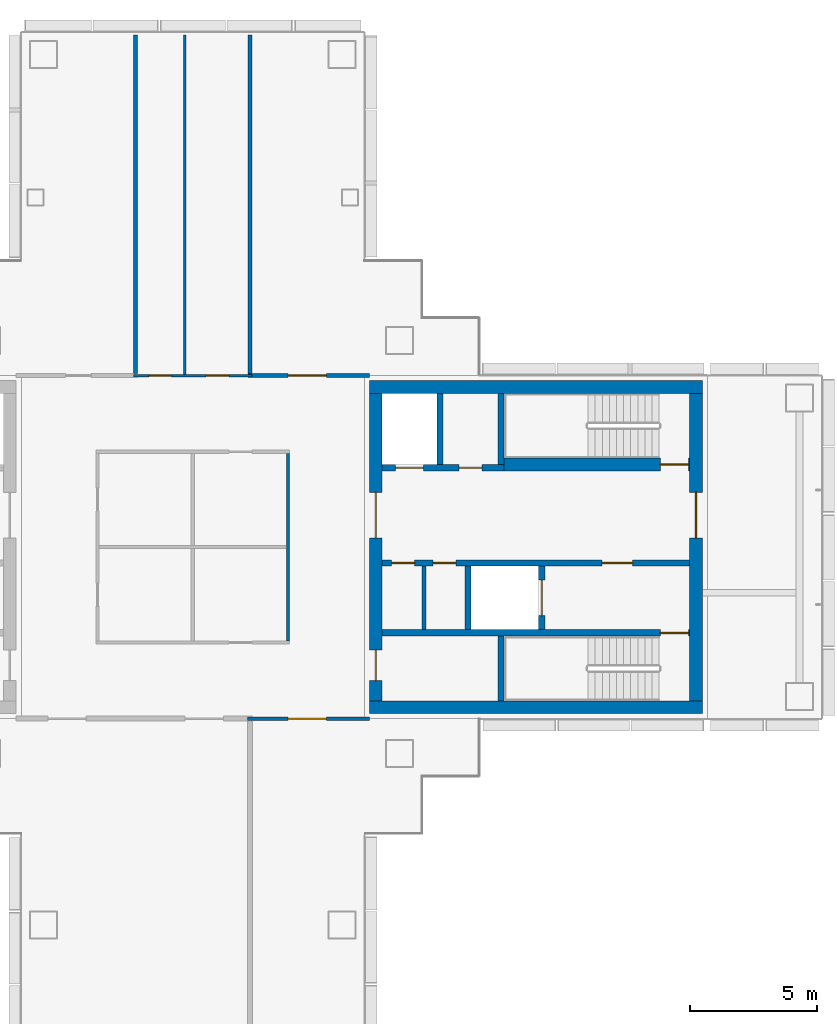
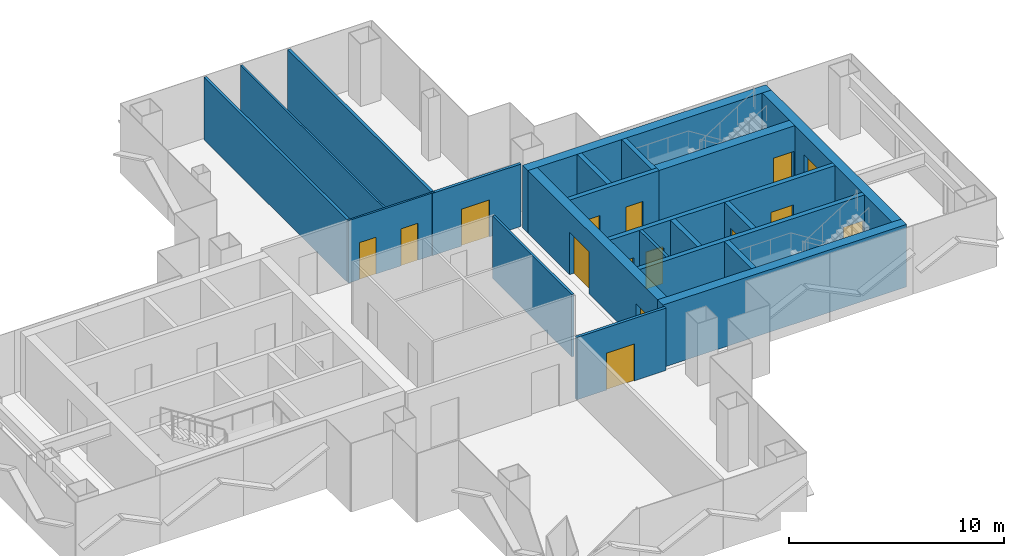
# One storey, part 12 of 16: 21 walls, 15 doors, 15 openings.
"""IFC4 building model written with IfcOpenShell, lengths in metres."""

from ifc_helpers import new_model, si_unit, direction, frame, frame_2d, origin, place, context, subcontext, project, spatial, rectangle, extrude, material, layer, layer_set, type_object, element, fill, save


model = new_model("IFC4")

# Units and contexts
model_context = context("Model", 3, precision=1e-05, world=origin(), true_north=direction((0.0, 1.0)))
body_context = subcontext(model_context, "Body", "Model", "MODEL_VIEW")
ifc_project = project(units=[si_unit("LENGTHUNIT", "METRE"), si_unit("AREAUNIT", "SQUARE_METRE"), si_unit("VOLUMEUNIT", "CUBIC_METRE"), si_unit("PLANEANGLEUNIT", "RADIAN"), si_unit("MASSUNIT", "GRAM", prefix="KILO")], contexts=[model_context])

# Site, building, storey
site_placement = place(None, origin())
site = spatial("IfcSite", under=ifc_project, at=site_placement, CompositionType="ELEMENT")
building_placement = place(site_placement, origin())
building = spatial("IfcBuilding", under=site, at=building_placement, Name="Shamsa Quay Exchange Towers", CompositionType="ELEMENT")
storey_placement = place(building_placement, frame((0.0, 0.0, 146.699951171875)))
storey = spatial("IfcBuildingStorey", under=building, at=storey_placement, Name="L34", CompositionType="ELEMENT", Elevation=146.699951171875)

# Walls
ifc_material_1 = material(Name="Concrete C60/75", Category="concrete")
ifc_layer_1 = layer(ifc_material_1, 0.5)
ifc_layer_set_1 = layer_set([ifc_layer_1], Name="CORE WALL 500 C60/75")
wall_type_1 = type_object("IfcWallType", Name="CORE WALL 500 C60/75", PredefinedType="SHEAR", material=ifc_layer_set_1)
for number, where, z_axis, x_axis, name in (
    (1, (53.800048828125, -6.300048828125, 0.0), (0.0, 0.0, 1.0), (-1.0, 0.0, 0.0), "Core wall T2B-R16-PS"),
    (2, (53.800048828125, 6.300048828125, 0.0), (0.0, 0.0, 1.0), (-1.0, 0.0, 0.0), "Core wall T2B-R16-PN"),
):
    element("IfcWall", number, at=place(storey_placement, frame(where, z_axis=z_axis, x_axis=x_axis)), inside=storey, type_object=wall_type_1, Name=name, PredefinedType="SHEAR", context=body_context, shape_type="SweptSolid", body=[
        extrude(rectangle(XDim=13.10009765625, YDim=0.5, at=frame_2d((6.550048828125, 0.0))), origin(), (0.0, 0.0, 1.0), 3.550048828125),
    ])

# Wall, opening, door
wall_1_placement = place(storey_placement, frame((53.550048828125, -6.050048828125, 0.0), z_axis=(0.0, 0.0, 1.0), x_axis=(0.0, 1.0, 0.0)))
wall_1 = element("IfcWall", 3, at=wall_1_placement, inside=storey, type_object=wall_type_1, Name="Core wall T2B-R16-PF", PredefinedType="SHEAR", context=body_context, shape_type="SweptSolid", body=[
    extrude(rectangle(XDim=12.10009765625, YDim=0.5, at=frame_2d((6.050048828125, 0.0))), origin(), (0.0, 0.0, 1.0), 3.550048828125),
])
opening_1_placement = place(wall_1_placement, frame((6.39990234375, 0.0, 0.0)))
opening_1 = element("IfcOpeningElement", 4, at=opening_1_placement, cuts=wall_1, Name="Opening T2B-R16-LBD01", PredefinedType="OPENING", context=body_context, shape_type="SweptSolid", body=[
    extrude(rectangle(XDim=1.800048828125, YDim=2.39990234375, at=frame_2d((0.89990234375, 1.199951171875))), frame((0.0, 0.260009765625, 0.0), z_axis=(0.0, -1.0, 0.0), x_axis=(1.0, 0.0, 0.0)), (0.0, 0.0, 1.0), 0.52001953125),
])
ifc_material_2 = material(Name="Steel, fire rated", Category="steel")
door_type_1 = type_object("IfcDoorType", Name="LIFT LOBBY DOOR PAIR 1800", OperationType="DOUBLE_DOOR_SINGLE_SWING", PredefinedType="DOOR", material=ifc_material_2)
door_1_placement = place(opening_1_placement, origin())
door_1 = element("IfcDoor", 5, at=door_1_placement, inside=storey, type_object=door_type_1, Name="T2B-R16-LBD01", OperationType="DOUBLE_DOOR_SINGLE_SWING", OverallHeight=2.39990234375, OverallWidth=1.800048828125, PredefinedType="DOOR", context=body_context, shape_type="SweptSolid", body=[
    extrude(rectangle(XDim=1.800048828125, YDim=2.39990234375, at=frame_2d((0.89990234375, 1.199951171875))), frame((0.0, 0.02490234375, 0.0), z_axis=(0.0, -1.0, 0.0), x_axis=(1.0, 0.0, 0.0)), (0.0, 0.0, 1.0), 0.050048828125),
])
fill(opening_1, door_1)

# Wall, openings, doors
wall_2_placement = place(storey_placement, frame((40.949951171875, -6.050048828125, 0.0), z_axis=(0.0, 0.0, 1.0), x_axis=(0.0, 1.0, 0.0)))
wall_2 = element("IfcWall", 6, at=wall_2_placement, inside=storey, type_object=wall_type_1, Name="Core wall T2B-R16-PB", PredefinedType="SHEAR", context=body_context, shape_type="SweptSolid", body=[
    extrude(rectangle(XDim=12.10009765625, YDim=0.5, at=frame_2d((6.050048828125, 0.0))), origin(), (0.0, 0.0, 1.0), 3.550048828125),
])
opening_2_placement = place(wall_2_placement, frame((0.800048828125, 0.0, 0.0)))
opening_2 = element("IfcOpeningElement", 7, at=opening_2_placement, cuts=wall_2, Name="Opening T2B-R16-RD02", PredefinedType="OPENING", context=body_context, shape_type="SweptSolid", body=[
    extrude(rectangle(XDim=1.199951171875, YDim=2.10009765625, at=frame_2d((0.60009765625, 1.050048828125))), frame((0.0, 0.260009765625, 0.0), z_axis=(0.0, -1.0, 0.0), x_axis=(1.0, 0.0, 0.0)), (0.0, 0.0, 1.0), 0.52001953125),
])
opening_3_placement = place(wall_2_placement, frame((6.39990234375, 0.0, 0.0)))
opening_3 = element("IfcOpeningElement", 8, at=opening_3_placement, cuts=wall_2, Name="Opening T2B-R16-LBD03", PredefinedType="OPENING", context=body_context, shape_type="SweptSolid", body=[
    extrude(rectangle(XDim=1.800048828125, YDim=2.39990234375, at=frame_2d((0.89990234375, 1.199951171875))), frame((0.0, 0.260009765625, 0.0), z_axis=(0.0, -1.0, 0.0), x_axis=(1.0, 0.0, 0.0)), (0.0, 0.0, 1.0), 0.52001953125),
])
door_2_placement = place(opening_3_placement, origin())
door_2 = element("IfcDoor", 9, at=door_2_placement, inside=storey, type_object=door_type_1, Name="T2B-R16-LBD03", OperationType="DOUBLE_DOOR_SINGLE_SWING", OverallHeight=2.39990234375, OverallWidth=1.800048828125, PredefinedType="DOOR", context=body_context, shape_type="SweptSolid", body=[
    extrude(rectangle(XDim=1.800048828125, YDim=2.39990234375, at=frame_2d((0.89990234375, 1.199951171875))), frame((0.0, 0.02490234375, 0.0), z_axis=(0.0, -1.0, 0.0), x_axis=(1.0, 0.0, 0.0)), (0.0, 0.0, 1.0), 0.050048828125),
])
fill(opening_3, door_2)
door_type_2 = type_object("IfcDoorType", Name="RISER ACCESS DOOR 1200", OperationType="SINGLE_SWING_LEFT", PredefinedType="DOOR", material=ifc_material_2)
door_3_placement = place(opening_2_placement, origin())
door_3 = element("IfcDoor", 10, at=door_3_placement, inside=storey, type_object=door_type_2, Name="T2B-R16-RD02", OperationType="SINGLE_SWING_LEFT", OverallHeight=2.10009765625, OverallWidth=1.199951171875, PredefinedType="DOOR", context=body_context, shape_type="SweptSolid", body=[
    extrude(rectangle(XDim=1.199951171875, YDim=2.10009765625, at=frame_2d((0.60009765625, 1.050048828125))), frame((0.0, 0.02490234375, 0.0), z_axis=(0.0, -1.0, 0.0), x_axis=(1.0, 0.0, 0.0)), (0.0, 0.0, 1.0), 0.050048828125),
])
fill(opening_2, door_3)

# Walls
ifc_material_3 = material(Name="Gypsum board on steel studs, EI 60", Category="steel")
ifc_layer_2 = layer(ifc_material_3, 0.14990234375)
ifc_layer_set_2 = layer_set([ifc_layer_2], Name="FIRE PARTITION 150")
wall_type_2 = type_object("IfcWallType", Name="FIRE PARTITION 150", PredefinedType="PARTITIONING", material=ifc_layer_set_2)
wall_3_placement = place(storey_placement, frame((42.85009765625, -3.25, 0.0), z_axis=(0.0, 0.0, 1.0), x_axis=(0.0, 1.0, 0.0)))
element("IfcWall", 11, at=wall_3_placement, inside=storey, type_object=wall_type_2, Name="Partition T2B-R16-EC0", PredefinedType="PARTITIONING", context=body_context, shape_type="SweptSolid", body=[
    extrude(rectangle(XDim=2.5, YDim=0.14990234375, at=frame_2d((1.25, 0.0))), origin(), (0.0, 0.0, 1.0), 3.550048828125),
])
ifc_material_4 = material(Name="Laminated fire-resisting glass in a metal frame", Category="glass")
ifc_layer_3 = layer(ifc_material_4, 0.125)
ifc_layer_set_3 = layer_set([ifc_layer_3], Name="Glazed partition 125 mm EI 60")
wall_type_3 = type_object("IfcWallType", Name="Glazed partition 125 mm EI 60", PredefinedType="PARTITIONING", material=ifc_layer_set_3)
wall_4_placement = place(storey_placement, frame((37.5, -3.6875, 0.0), z_axis=(0.0, 0.0, 1.0), x_axis=(0.0, 1.0, 0.0)))
element("IfcWall", 12, at=wall_4_placement, inside=storey, type_object=wall_type_3, Name="Partition T2-R16-W04", PredefinedType="PARTITIONING", context=body_context, shape_type="SweptSolid", body=[
    extrude(rectangle(XDim=7.375, YDim=0.125, at=frame_2d((3.6875, 0.0))), origin(), (0.0, 0.0, 1.0), 3.550048828125),
])

# Wall, openings, doors
ifc_material_5 = material(Name="Gypsum board partition on metal studs")
ifc_layer_4 = layer(ifc_material_5, 0.10009765625)
ifc_layer_set_4 = layer_set([ifc_layer_4], Name="Partition 100 mm NOT RATED")
wall_type_4 = type_object("IfcWallType", Name="Partition 100 mm NOT RATED", PredefinedType="PARTITIONING", material=ifc_layer_set_4)
wall_5_placement = place(storey_placement, frame((31.425048828125, 6.75, 0.0)))
wall_5 = element("IfcWall", 13, at=wall_5_placement, inside=storey, type_object=wall_type_4, Name="Partition T2-R16-W07", PredefinedType="PARTITIONING", context=body_context, shape_type="SweptSolid", body=[
    extrude(rectangle(XDim=4.64990234375, YDim=0.10009765625, at=frame_2d((2.324951171875, 0.0))), origin(), (0.0, 0.0, 1.0), 3.550048828125),
])
opening_4_placement = place(wall_5_placement, frame((2.84375, 0.0, 0.0)))
opening_4 = element("IfcOpeningElement", 14, at=opening_4_placement, cuts=wall_5, Name="Opening T2-R16-D06", PredefinedType="OPENING", context=body_context, shape_type="SweptSolid", body=[
    extrude(rectangle(XDim=0.89990234375, YDim=2.10009765625, at=frame_2d((0.449951171875, 1.050048828125))), frame((0.0, 0.06005859375, 0.0), z_axis=(0.0, -1.0, 0.0), x_axis=(1.0, 0.0, 0.0)), (0.0, 0.0, 1.0), 0.1201171875),
])
opening_5_placement = place(wall_5_placement, frame((0.59375, 0.0, 0.0)))
opening_5 = element("IfcOpeningElement", 15, at=opening_5_placement, cuts=wall_5, Name="Opening T2-R16-D07", PredefinedType="OPENING", context=body_context, shape_type="SweptSolid", body=[
    extrude(rectangle(XDim=0.89990234375, YDim=2.10009765625, at=frame_2d((0.449951171875, 1.050048828125))), frame((0.0, 0.06005859375, 0.0), z_axis=(0.0, -1.0, 0.0), x_axis=(1.0, 0.0, 0.0)), (0.0, 0.0, 1.0), 0.1201171875),
])
ifc_material_6 = material(Name="Timber door leaf in a metal frame", Category="wood")
door_type_3 = type_object("IfcDoorType", Name="Door 900x2100 NOT RATED", OperationType="NOTDEFINED", PredefinedType="DOOR", material=ifc_material_6)
door_4_placement = place(opening_4_placement, origin())
door_4 = element("IfcDoor", 16, at=door_4_placement, inside=storey, type_object=door_type_3, Name="Door T2-R16-D06", OperationType="SINGLE_SWING_RIGHT", OverallHeight=2.10009765625, OverallWidth=0.89990234375, PredefinedType="DOOR", context=body_context, shape_type="SweptSolid", body=[
    extrude(rectangle(XDim=0.89990234375, YDim=2.10009765625, at=frame_2d((0.449951171875, 1.050048828125))), frame((0.0, 0.02490234375, 0.0), z_axis=(0.0, -1.0, 0.0), x_axis=(1.0, 0.0, 0.0)), (0.0, 0.0, 1.0), 0.050048828125),
])
fill(opening_4, door_4)
door_5_placement = place(opening_5_placement, origin())
door_5 = element("IfcDoor", 17, at=door_5_placement, inside=storey, type_object=door_type_3, Name="Door T2-R16-D07", OperationType="SINGLE_SWING_RIGHT", OverallHeight=2.10009765625, OverallWidth=0.89990234375, PredefinedType="DOOR", context=body_context, shape_type="SweptSolid", body=[
    extrude(rectangle(XDim=0.89990234375, YDim=2.10009765625, at=frame_2d((0.449951171875, 1.050048828125))), frame((0.0, 0.02490234375, 0.0), z_axis=(0.0, -1.0, 0.0), x_axis=(1.0, 0.0, 0.0)), (0.0, 0.0, 1.0), 0.050048828125),
])
fill(opening_5, door_5)

# Wall
wall_6_placement = place(storey_placement, frame((33.4375, 20.155029296875, 0.0), z_axis=(0.0, 0.0, 1.0), x_axis=(0.0, -1.0, 0.0)))
element("IfcWall", 18, at=wall_6_placement, inside=storey, type_object=wall_type_4, Name="Partition T2-R16-W13", PredefinedType="PARTITIONING", context=body_context, shape_type="SweptSolid", body=[
    extrude(rectangle(XDim=13.35498046875, YDim=0.10009765625, at=frame_2d((6.677490234375, 0.0))), origin(), (0.0, 0.0, 1.0), 3.550048828125),
])

# Wall, opening, door
ifc_layer_5 = layer(ifc_material_5, 0.14990234375)
ifc_layer_set_5 = layer_set([ifc_layer_5], Name="Partition 150 mm EI 60")
wall_type_5 = type_object("IfcWallType", Name="Partition 150 mm EI 60", PredefinedType="PARTITIONING", material=ifc_layer_set_5)
wall_7_placement = place(storey_placement, frame((35.925048828125, 6.75, 0.0)))
wall_7 = element("IfcWall", 19, at=wall_7_placement, inside=storey, type_object=wall_type_5, Name="Partition T2-R16-W05", PredefinedType="PARTITIONING", context=body_context, shape_type="SweptSolid", body=[
    extrude(rectangle(XDim=4.77490234375, YDim=0.14990234375, at=frame_2d((2.387451171875, 0.0))), origin(), (0.0, 0.0, 1.0), 3.550048828125),
])
opening_6_placement = place(wall_7_placement, frame((1.574951171875, 0.0, 0.0)))
opening_6 = element("IfcOpeningElement", 20, at=opening_6_placement, cuts=wall_7, Name="Opening T2-R16-D01", PredefinedType="OPENING", context=body_context, shape_type="SweptSolid", body=[
    extrude(rectangle(XDim=1.5, YDim=2.10009765625, at=frame_2d((0.75, 1.050048828125))), frame((0.0, 0.0849609375, 0.0), z_axis=(0.0, -1.0, 0.0), x_axis=(1.0, 0.0, 0.0)), (0.0, 0.0, 1.0), 0.169921875),
])
door_type_4 = type_object("IfcDoorType", Name="Door 1500x2100 FD30S pair", OperationType="NOTDEFINED", PredefinedType="DOOR", material=ifc_material_6)
door_6_placement = place(opening_6_placement, origin())
door_6 = element("IfcDoor", 21, at=door_6_placement, inside=storey, type_object=door_type_4, Name="Door T2-R16-D01", OperationType="DOUBLE_DOOR_SINGLE_SWING", OverallHeight=2.10009765625, OverallWidth=1.5, PredefinedType="DOOR", context=body_context, shape_type="SweptSolid", body=[
    extrude(rectangle(XDim=1.5, YDim=2.10009765625, at=frame_2d((0.75, 1.050048828125))), frame((0.0, 0.02490234375, 0.0), z_axis=(0.0, -1.0, 0.0), x_axis=(1.0, 0.0, 0.0)), (0.0, 0.0, 1.0), 0.050048828125),
])
fill(opening_6, door_6)

wall_8_placement = place(storey_placement, frame((40.699951171875, -6.75, 0.0), z_axis=(0.0, 0.0, 1.0), x_axis=(-1.0, 0.0, 0.0)))
wall_8 = element("IfcWall", 22, at=wall_8_placement, inside=storey, type_object=wall_type_5, Name="Partition T2-R16-W08", PredefinedType="PARTITIONING", context=body_context, shape_type="SweptSolid", body=[
    extrude(rectangle(XDim=4.800048828125, YDim=0.14990234375, at=frame_2d((2.39990234375, 0.0))), origin(), (0.0, 0.0, 1.0), 3.550048828125),
])
opening_7_placement = place(wall_8_placement, frame((1.699951171875, 0.0, 0.0)))
opening_7 = element("IfcOpeningElement", 23, at=opening_7_placement, cuts=wall_8, Name="Opening T2-R16-D04", PredefinedType="OPENING", context=body_context, shape_type="SweptSolid", body=[
    extrude(rectangle(XDim=1.5, YDim=2.10009765625, at=frame_2d((0.75, 1.050048828125))), frame((0.0, 0.0849609375, 0.0), z_axis=(0.0, -1.0, 0.0), x_axis=(1.0, 0.0, 0.0)), (0.0, 0.0, 1.0), 0.169921875),
])
door_7_placement = place(opening_7_placement, origin())
door_7 = element("IfcDoor", 24, at=door_7_placement, inside=storey, type_object=door_type_4, Name="Door T2-R16-D04", OperationType="DOUBLE_DOOR_SINGLE_SWING", OverallHeight=2.10009765625, OverallWidth=1.5, PredefinedType="DOOR", context=body_context, shape_type="SweptSolid", body=[
    extrude(rectangle(XDim=1.5, YDim=2.10009765625, at=frame_2d((0.75, 1.050048828125))), frame((0.0, 0.02490234375, 0.0), z_axis=(0.0, -1.0, 0.0), x_axis=(1.0, 0.0, 0.0)), (0.0, 0.0, 1.0), 0.050048828125),
])
fill(opening_7, door_7)

# Walls
for number, where, z_axis, x_axis, name in (
    (25, (36.0, 20.155029296875, 0.0), (0.0, 0.0, 1.0), (0.0, -1.0, 0.0), "Partition T2-R16-W12"),
    (26, (31.5, 20.155029296875, 0.0), (0.0, 0.0, 1.0), (0.0, -1.0, 0.0), "Partition T2-R16-W14"),
):
    element("IfcWall", number, at=place(storey_placement, frame(where, z_axis=z_axis, x_axis=x_axis)), inside=storey, type_object=wall_type_5, Name=name, PredefinedType="PARTITIONING", context=body_context, shape_type="SweptSolid", body=[
        extrude(rectangle(XDim=13.330078125, YDim=0.14990234375, at=frame_2d((6.6650390625, 0.0))), origin(), (0.0, 0.0, 1.0), 3.550048828125),
    ])

# Wall, opening, door
ifc_material_7 = material(Name="Concrete C50/60", Category="concrete")
ifc_layer_6 = layer(ifc_material_7, 0.25)
ifc_layer_set_6 = layer_set([ifc_layer_6], Name="SHAFT WALL 250 C50/60")
wall_type_6 = type_object("IfcWallType", Name="SHAFT WALL 250 C50/60", PredefinedType="SHEAR", material=ifc_layer_set_6)
wall_9_placement = place(storey_placement, frame((53.300048828125, -3.375, 0.0), z_axis=(0.0, 0.0, 1.0), x_axis=(-1.0, 0.0, 0.0)))
wall_9 = element("IfcWall", 27, at=wall_9_placement, inside=storey, type_object=wall_type_6, Name="Shaft wall T2B-R16-STL", PredefinedType="SHEAR", context=body_context, shape_type="SweptSolid", body=[
    extrude(rectangle(XDim=12.10009765625, YDim=0.25, at=frame_2d((6.050048828125, 0.0))), origin(), (0.0, 0.0, 1.0), 3.550048828125),
])
opening_8_placement = place(wall_9_placement, frame((0.050048828125, 0.0, 0.0)))
opening_8 = element("IfcOpeningElement", 28, at=opening_8_placement, cuts=wall_9, Name="Opening T2B-R16-SD04", PredefinedType="OPENING", context=body_context, shape_type="SweptSolid", body=[
    extrude(rectangle(XDim=1.10009765625, YDim=2.10009765625, at=frame_2d((0.550048828125, 1.050048828125))), frame((0.0, 0.135009765625, 0.0), z_axis=(0.0, -1.0, 0.0), x_axis=(1.0, 0.0, 0.0)), (0.0, 0.0, 1.0), 0.27001953125),
])
door_type_5 = type_object("IfcDoorType", Name="STAIR DOOR 1100", OperationType="SINGLE_SWING_LEFT", PredefinedType="DOOR", material=ifc_material_2)
door_8_placement = place(opening_8_placement, origin())
door_8 = element("IfcDoor", 29, at=door_8_placement, inside=storey, type_object=door_type_5, Name="T2B-R16-SD04", OperationType="SINGLE_SWING_LEFT", OverallHeight=2.10009765625, OverallWidth=1.10009765625, PredefinedType="DOOR", context=body_context, shape_type="SweptSolid", body=[
    extrude(rectangle(XDim=1.10009765625, YDim=2.10009765625, at=frame_2d((0.550048828125, 1.050048828125))), frame((0.0, 0.02490234375, 0.0), z_axis=(0.0, -1.0, 0.0), x_axis=(1.0, 0.0, 0.0)), (0.0, 0.0, 1.0), 0.050048828125),
])
fill(opening_8, door_8)

# Wall
wall_10_placement = place(storey_placement, frame((45.875, -6.050048828125, 0.0), z_axis=(0.0, 0.0, 1.0), x_axis=(0.0, 1.0, 0.0)))
element("IfcWall", 30, at=wall_10_placement, inside=storey, type_object=wall_type_6, Name="Shaft wall T2B-R16-STF", PredefinedType="SHEAR", context=body_context, shape_type="SweptSolid", body=[
    extrude(rectangle(XDim=2.550048828125, YDim=0.25, at=frame_2d((1.27490234375, 0.0))), origin(), (0.0, 0.0, 1.0), 3.550048828125),
])

# Wall, openings, doors
wall_11_placement = place(storey_placement, frame((53.300048828125, -0.625, 0.0), z_axis=(0.0, 0.0, 1.0), x_axis=(-1.0, 0.0, 0.0)))
wall_11 = element("IfcWall", 31, at=wall_11_placement, inside=storey, type_object=wall_type_6, Name="Shaft wall T2B-R16-B", PredefinedType="SHEAR", context=body_context, shape_type="SweptSolid", body=[
    extrude(rectangle(XDim=12.10009765625, YDim=0.25, at=frame_2d((6.050048828125, 0.0))), origin(), (0.0, 0.0, 1.0), 3.550048828125),
])
opening_9_placement = place(wall_11_placement, frame((2.25, 0.0, 0.0)))
opening_9 = element("IfcOpeningElement", 32, at=opening_9_placement, cuts=wall_11, Name="Opening T2B-R16-FD05", PredefinedType="OPENING", context=body_context, shape_type="SweptSolid", body=[
    extrude(rectangle(XDim=1.199951171875, YDim=2.10009765625, at=frame_2d((0.60009765625, 1.050048828125))), frame((0.0, 0.135009765625, 0.0), z_axis=(0.0, -1.0, 0.0), x_axis=(1.0, 0.0, 0.0)), (0.0, 0.0, 1.0), 0.27001953125),
])
opening_10_placement = place(wall_11_placement, frame((9.199951171875, 0.0, 0.0)))
opening_10 = element("IfcOpeningElement", 33, at=opening_10_placement, cuts=wall_11, Name="Opening T2B-R16-SV06", PredefinedType="OPENING", context=body_context, shape_type="SweptSolid", body=[
    extrude(rectangle(XDim=0.89990234375, YDim=2.10009765625, at=frame_2d((0.449951171875, 1.050048828125))), frame((0.0, 0.135009765625, 0.0), z_axis=(0.0, -1.0, 0.0), x_axis=(1.0, 0.0, 0.0)), (0.0, 0.0, 1.0), 0.27001953125),
])
opening_11_placement = place(wall_11_placement, frame((10.824951171875, 0.0, 0.0)))
opening_11 = element("IfcOpeningElement", 34, at=opening_11_placement, cuts=wall_11, Name="Opening T2B-R16-SV07", PredefinedType="OPENING", context=body_context, shape_type="SweptSolid", body=[
    extrude(rectangle(XDim=0.89990234375, YDim=2.10009765625, at=frame_2d((0.449951171875, 1.050048828125))), frame((0.0, 0.135009765625, 0.0), z_axis=(0.0, -1.0, 0.0), x_axis=(1.0, 0.0, 0.0)), (0.0, 0.0, 1.0), 0.27001953125),
])
door_type_6 = type_object("IfcDoorType", Name="FIRE SERVICE LOBBY DOOR 1200", OperationType="SINGLE_SWING_LEFT", PredefinedType="DOOR", material=ifc_material_2)
door_9_placement = place(opening_9_placement, origin())
door_9 = element("IfcDoor", 35, at=door_9_placement, inside=storey, type_object=door_type_6, Name="T2B-R16-FD05", OperationType="SINGLE_SWING_LEFT", OverallHeight=2.10009765625, OverallWidth=1.199951171875, PredefinedType="DOOR", context=body_context, shape_type="SweptSolid", body=[
    extrude(rectangle(XDim=1.199951171875, YDim=2.10009765625, at=frame_2d((0.60009765625, 1.050048828125))), frame((0.0, 0.02490234375, 0.0), z_axis=(0.0, -1.0, 0.0), x_axis=(1.0, 0.0, 0.0)), (0.0, 0.0, 1.0), 0.050048828125),
])
fill(opening_9, door_9)
door_type_7 = type_object("IfcDoorType", Name="SERVICE ROOM DOOR 900", OperationType="SINGLE_SWING_LEFT", PredefinedType="DOOR", material=ifc_material_2)
door_10_placement = place(opening_10_placement, origin())
door_10 = element("IfcDoor", 36, at=door_10_placement, inside=storey, type_object=door_type_7, Name="T2B-R16-SV06", OperationType="SINGLE_SWING_RIGHT", OverallHeight=2.10009765625, OverallWidth=0.89990234375, PredefinedType="DOOR", context=body_context, shape_type="SweptSolid", body=[
    extrude(rectangle(XDim=0.89990234375, YDim=2.10009765625, at=frame_2d((0.449951171875, 1.050048828125))), frame((0.0, 0.02490234375, 0.0), z_axis=(0.0, -1.0, 0.0), x_axis=(1.0, 0.0, 0.0)), (0.0, 0.0, 1.0), 0.050048828125),
])
fill(opening_10, door_10)
door_11_placement = place(opening_11_placement, origin())
door_11 = element("IfcDoor", 37, at=door_11_placement, inside=storey, type_object=door_type_7, Name="T2B-R16-SV07", OperationType="SINGLE_SWING_RIGHT", OverallHeight=2.10009765625, OverallWidth=0.89990234375, PredefinedType="DOOR", context=body_context, shape_type="SweptSolid", body=[
    extrude(rectangle(XDim=0.89990234375, YDim=2.10009765625, at=frame_2d((0.449951171875, 1.050048828125))), frame((0.0, 0.02490234375, 0.0), z_axis=(0.0, -1.0, 0.0), x_axis=(1.0, 0.0, 0.0)), (0.0, 0.0, 1.0), 0.050048828125),
])
fill(opening_11, door_11)

# Wall, opening, door
wall_12_placement = place(storey_placement, frame((47.47509765625, -3.25, 0.0), z_axis=(0.0, 0.0, 1.0), x_axis=(0.0, 1.0, 0.0)))
wall_12 = element("IfcWall", 38, at=wall_12_placement, inside=storey, type_object=wall_type_6, Name="Shaft wall T2B-R16-FFF", PredefinedType="SHEAR", context=body_context, shape_type="SweptSolid", body=[
    extrude(rectangle(XDim=2.5, YDim=0.25, at=frame_2d((1.25, 0.0))), origin(), (0.0, 0.0, 1.0), 3.550048828125),
])
opening_12_placement = place(wall_12_placement, frame((0.550048828125, 0.0, 0.0)))
opening_12 = element("IfcOpeningElement", 39, at=opening_12_placement, cuts=wall_12, Name="Opening T2B-R16-LDG08", PredefinedType="OPENING", context=body_context, shape_type="SweptSolid", body=[
    extrude(rectangle(XDim=1.39990234375, YDim=2.39990234375, at=frame_2d((0.699951171875, 1.199951171875))), frame((0.0, 0.135009765625, 0.0), z_axis=(0.0, -1.0, 0.0), x_axis=(1.0, 0.0, 0.0)), (0.0, 0.0, 1.0), 0.27001953125),
])
door_type_8 = type_object("IfcDoorType", Name="GOODS LIFT LANDING DOOR 1400", OperationType="SLIDING_TO_LEFT", PredefinedType="DOOR", material=ifc_material_2)
door_12_placement = place(opening_12_placement, origin())
door_12 = element("IfcDoor", 40, at=door_12_placement, inside=storey, type_object=door_type_8, Name="T2B-R16-LDG08", OperationType="SLIDING_TO_LEFT", OverallHeight=2.39990234375, OverallWidth=1.39990234375, PredefinedType="DOOR", context=body_context, shape_type="SweptSolid", body=[
    extrude(rectangle(XDim=1.39990234375, YDim=2.39990234375, at=frame_2d((0.699951171875, 1.199951171875))), frame((0.0, 0.02490234375, 0.0), z_axis=(0.0, -1.0, 0.0), x_axis=(1.0, 0.0, 0.0)), (0.0, 0.0, 1.0), 0.050048828125),
])
fill(opening_12, door_12)

# Wall
wall_13_placement = place(storey_placement, frame((44.574951171875, -3.25, 0.0), z_axis=(0.0, 0.0, 1.0), x_axis=(0.0, 1.0, 0.0)))
element("IfcWall", 41, at=wall_13_placement, inside=storey, type_object=wall_type_6, Name="Shaft wall T2B-R16-FFB", PredefinedType="SHEAR", context=body_context, shape_type="SweptSolid", body=[
    extrude(rectangle(XDim=2.5, YDim=0.25, at=frame_2d((1.25, 0.0))), origin(), (0.0, 0.0, 1.0), 3.550048828125),
])

# Wall, openings, doors
wall_14_placement = place(storey_placement, frame((41.199951171875, 3.125, 0.0)))
wall_14 = element("IfcWall", 42, at=wall_14_placement, inside=storey, type_object=wall_type_6, Name="Shaft wall T2B-R16-N2", PredefinedType="SHEAR", context=body_context, shape_type="SweptSolid", body=[
    extrude(rectangle(XDim=4.800048828125, YDim=0.25, at=frame_2d((2.39990234375, 0.0))), origin(), (0.0, 0.0, 1.0), 3.550048828125),
])
opening_13_placement = place(wall_14_placement, frame((0.52490234375, 0.0, 0.0)))
opening_13 = element("IfcOpeningElement", 43, at=opening_13_placement, cuts=wall_14, Name="Opening T2B-R16-LD10", PredefinedType="OPENING", context=body_context, shape_type="SweptSolid", body=[
    extrude(rectangle(XDim=1.10009765625, YDim=2.10009765625, at=frame_2d((0.550048828125, 1.050048828125))), frame((0.0, 0.135009765625, 0.0), z_axis=(0.0, -1.0, 0.0), x_axis=(1.0, 0.0, 0.0)), (0.0, 0.0, 1.0), 0.27001953125),
])
opening_14_placement = place(wall_14_placement, frame((3.02490234375, 0.0, 0.0)))
opening_14 = element("IfcOpeningElement", 44, at=opening_14_placement, cuts=wall_14, Name="Opening T2B-R16-SV11", PredefinedType="OPENING", context=body_context, shape_type="SweptSolid", body=[
    extrude(rectangle(XDim=0.89990234375, YDim=2.10009765625, at=frame_2d((0.449951171875, 1.050048828125))), frame((0.0, 0.135009765625, 0.0), z_axis=(0.0, -1.0, 0.0), x_axis=(1.0, 0.0, 0.0)), (0.0, 0.0, 1.0), 0.27001953125),
])
door_type_9 = type_object("IfcDoorType", Name="LANDING DOOR 1100", OperationType="SLIDING_TO_LEFT", PredefinedType="DOOR", material=ifc_material_2)
door_13_placement = place(opening_13_placement, origin())
door_13 = element("IfcDoor", 45, at=door_13_placement, inside=storey, type_object=door_type_9, Name="T2B-R16-LD10", OperationType="SLIDING_TO_LEFT", OverallHeight=2.10009765625, OverallWidth=1.10009765625, PredefinedType="DOOR", context=body_context, shape_type="SweptSolid", body=[
    extrude(rectangle(XDim=1.10009765625, YDim=2.10009765625, at=frame_2d((0.550048828125, 1.050048828125))), frame((0.0, 0.02490234375, 0.0), z_axis=(0.0, -1.0, 0.0), x_axis=(1.0, 0.0, 0.0)), (0.0, 0.0, 1.0), 0.050048828125),
])
fill(opening_13, door_13)
door_14_placement = place(opening_14_placement, origin())
door_14 = element("IfcDoor", 46, at=door_14_placement, inside=storey, type_object=door_type_7, Name="T2B-R16-SV11", OperationType="SINGLE_SWING_RIGHT", OverallHeight=2.10009765625, OverallWidth=0.89990234375, PredefinedType="DOOR", context=body_context, shape_type="SweptSolid", body=[
    extrude(rectangle(XDim=0.89990234375, YDim=2.10009765625, at=frame_2d((0.449951171875, 1.050048828125))), frame((0.0, 0.02490234375, 0.0), z_axis=(0.0, -1.0, 0.0), x_axis=(1.0, 0.0, 0.0)), (0.0, 0.0, 1.0), 0.050048828125),
])
fill(opening_14, door_14)

# Walls
for number, where, z_axis, x_axis, name in (
    (47, (45.875, 3.25, 0.0), (0.0, 0.0, 1.0), (0.0, 1.0, 0.0), "Shaft wall T2B-R16-STF2"),
    (48, (43.47509765625, 3.25, 0.0), (0.0, 0.0, 1.0), (0.0, 1.0, 0.0), "Shaft wall T2B-R16-D0"),
):
    element("IfcWall", number, at=place(storey_placement, frame(where, z_axis=z_axis, x_axis=x_axis)), inside=storey, type_object=wall_type_6, Name=name, PredefinedType="SHEAR", context=body_context, shape_type="SweptSolid", body=[
        extrude(rectangle(XDim=2.800048828125, YDim=0.25, at=frame_2d((1.39990234375, 0.0))), origin(), (0.0, 0.0, 1.0), 3.550048828125),
    ])

# Wall, opening, door
ifc_layer_7 = layer(ifc_material_7, 0.5)
ifc_layer_set_7 = layer_set([ifc_layer_7], Name="SHAFT WALL 500 C50/60")
wall_type_7 = type_object("IfcWallType", Name="SHAFT WALL 500 C50/60", PredefinedType="SHEAR", material=ifc_layer_set_7)
wall_15_placement = place(storey_placement, frame((46.0, 3.25, 0.0)))
wall_15 = element("IfcWall", 49, at=wall_15_placement, inside=storey, type_object=wall_type_7, Name="Shaft wall T2B-R16-N", PredefinedType="SHEAR", context=body_context, shape_type="SweptSolid", body=[
    extrude(rectangle(XDim=7.300048828125, YDim=0.5, at=frame_2d((3.64990234375, 0.0))), origin(), (0.0, 0.0, 1.0), 3.550048828125),
])
opening_15_placement = place(wall_15_placement, frame((6.14990234375, 0.0, 0.0)))
opening_15 = element("IfcOpeningElement", 50, at=opening_15_placement, cuts=wall_15, Name="Opening T2B-R16-SD09", PredefinedType="OPENING", context=body_context, shape_type="SweptSolid", body=[
    extrude(rectangle(XDim=1.10009765625, YDim=2.10009765625, at=frame_2d((0.550048828125, 1.050048828125))), frame((0.0, 0.260009765625, 0.0), z_axis=(0.0, -1.0, 0.0), x_axis=(1.0, 0.0, 0.0)), (0.0, 0.0, 1.0), 0.52001953125),
])
door_15_placement = place(opening_15_placement, origin())
door_15 = element("IfcDoor", 51, at=door_15_placement, inside=storey, type_object=door_type_5, Name="T2B-R16-SD09", OperationType="SINGLE_SWING_RIGHT", OverallHeight=2.10009765625, OverallWidth=1.10009765625, PredefinedType="DOOR", context=body_context, shape_type="SweptSolid", body=[
    extrude(rectangle(XDim=1.10009765625, YDim=2.10009765625, at=frame_2d((0.550048828125, 1.050048828125))), frame((0.0, 0.02490234375, 0.0), z_axis=(0.0, -1.0, 0.0), x_axis=(1.0, 0.0, 0.0)), (0.0, 0.0, 1.0), 0.050048828125),
])
fill(opening_15, door_15)

save(model, "model.ifc")
